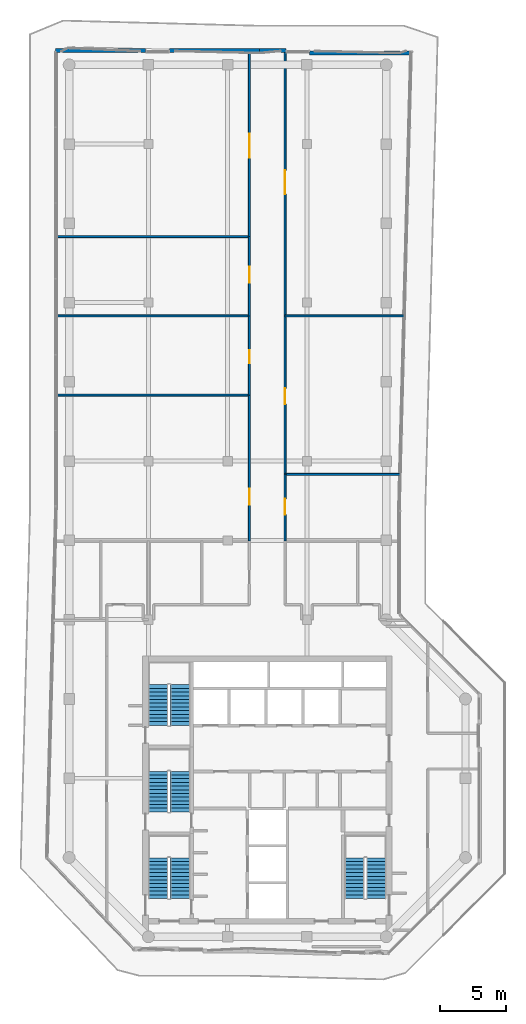
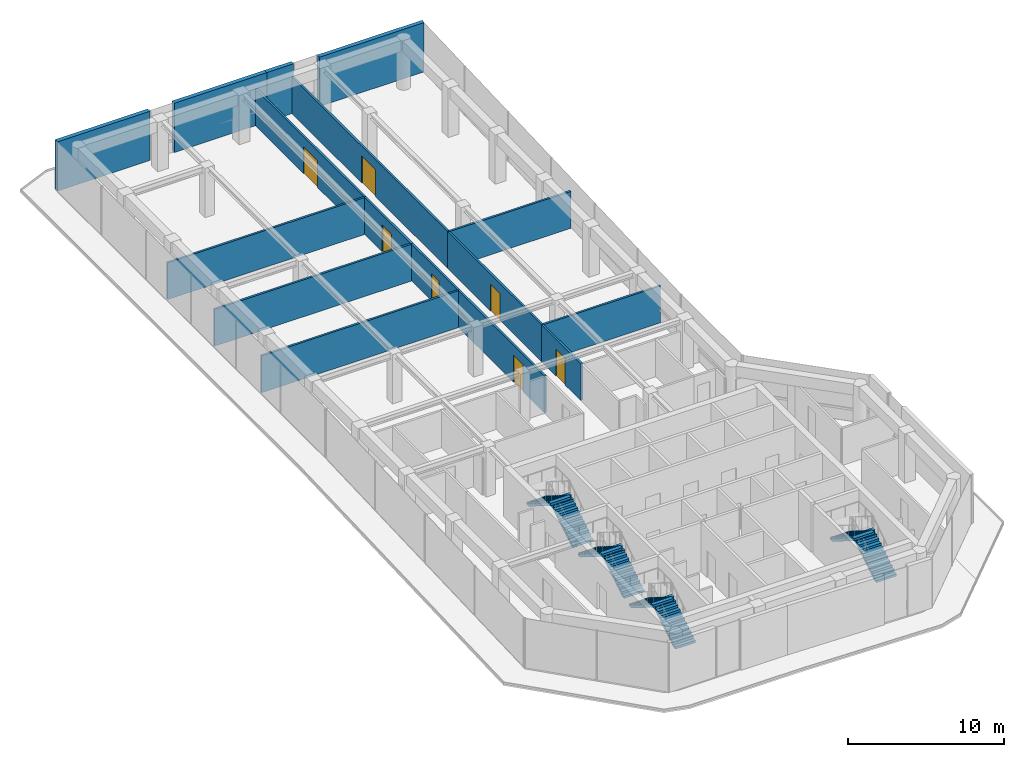
# One storey, part 17 of 19: 16 walls, 8 stair flights, 7 doors, 7 openings, 4 elements without a shape of their own.
"""IFC4 building model written with IfcOpenShell, lengths in metres."""

from ifc_helpers import new_model, si_unit, direction, frame, frame_2d, origin, place, context, subcontext, project, spatial, polyline, rectangle, outline, extrude, material, layer, layer_set, type_object, element, fill, aggregate, save


model = new_model("IFC4")

# Units and contexts
model_context = context("Model", 3, precision=1e-05, world=origin(), true_north=direction((0.0, 1.0)))
body_context = subcontext(model_context, "Body", "Model", "MODEL_VIEW")
ifc_project = project(units=[si_unit("LENGTHUNIT", "METRE"), si_unit("AREAUNIT", "SQUARE_METRE"), si_unit("VOLUMEUNIT", "CUBIC_METRE"), si_unit("PLANEANGLEUNIT", "RADIAN"), si_unit("MASSUNIT", "GRAM", prefix="KILO")], contexts=[model_context])

# Site, building, storey
site_placement = place(None, origin())
site = spatial("IfcSite", under=ifc_project, at=site_placement, CompositionType="ELEMENT")
building_placement = place(site_placement, origin())
building = spatial("IfcBuilding", under=site, at=building_placement, Name="Welwitschia Terrace Campus", CompositionType="ELEMENT")
storey_placement = place(building_placement, frame((0.0, 0.0, 234.800048828125)))
storey = spatial("IfcBuildingStorey", under=building, at=storey_placement, Name="L52", CompositionType="ELEMENT", Elevation=234.800048828125)

# Walls
ifc_material_1 = material(Name="Gypsum board on steel studs", Category="steel")
ifc_layer_1 = layer(ifc_material_1, 0.14990234375)
ifc_layer_set_1 = layer_set([ifc_layer_1], Name="Gypsum board on steel studs")
wall_type_1 = type_object("IfcWallType", Name="Corridor partition 150 EI 30", PredefinedType="PARTITIONING", material=ifc_layer_set_1)
for number, where, z_axis, x_axis, name in (
    (1, (-0.97998046875, 45.0, 0.0), (0.0, 0.0, 1.0), (1.0, 0.0, 0.0), "Partition"),
    (2, (-0.97998046875, 51.0, 0.0), (0.0, 0.0, 1.0), (1.0, 0.0, 0.0), "Partition"),
    (3, (-0.97998046875, 57.0, 0.0), (0.0, 0.0, 1.0), (1.0, 0.0, 0.0), "Partition"),
):
    element("IfcWall", number, at=place(storey_placement, frame(where, z_axis=z_axis, x_axis=x_axis)), inside=storey, type_object=wall_type_1, Name=name, PredefinedType="PARTITIONING", context=body_context, shape_type="SweptSolid", body=[
        extrude(rectangle(XDim=14.6298828125, YDim=0.14990234375, at=frame_2d((7.31494140625, 0.0))), origin(), (0.0, 0.0, 1.0), 2.8798828125),
    ])

# Wall, opening, door
wall_1_placement = place(storey_placement, frame((13.64990234375, 33.949951171875, 0.0), z_axis=(0.0, 0.0, 1.0), x_axis=(0.0, 1.0, 0.0)))
wall_1 = element("IfcWall", 4, at=wall_1_placement, inside=storey, type_object=wall_type_1, Name="Partition", PredefinedType="PARTITIONING", context=body_context, shape_type="SweptSolid", body=[
    extrude(rectangle(XDim=11.050048828125, YDim=0.14990234375, at=frame_2d((5.52490234375, 0.0))), origin(), (0.0, 0.0, 1.0), 2.8798828125),
])
opening_1_placement = place(wall_1_placement, frame((2.75, 0.0, 0.0)))
opening_1 = element("IfcOpeningElement", 5, at=opening_1_placement, cuts=wall_1, Name="Opening DI12", PredefinedType="OPENING", context=body_context, shape_type="SweptSolid", body=[
    extrude(rectangle(XDim=1.199951171875, YDim=2.10009765625, at=frame_2d((0.60009765625, 1.050048828125))), frame((0.0, 0.0849609375, 0.0), z_axis=(0.0, -1.0, 0.0), x_axis=(1.0, 0.0, 0.0)), (0.0, 0.0, 1.0), 0.169921875),
])
ifc_material_2 = material(Name="Timber veneered door", Category="wood")
door_type_1 = type_object("IfcDoorType", Name="Interior door DI12", OperationType="NOTDEFINED", PredefinedType="DOOR", material=ifc_material_2)
door_1_placement = place(opening_1_placement, origin())
door_1 = element("IfcDoor", 6, at=door_1_placement, inside=storey, type_object=door_type_1, Name="Door L52 964", OperationType="SINGLE_SWING_LEFT", OverallHeight=2.10009765625, OverallWidth=1.199951171875, PredefinedType="DOOR", context=body_context, shape_type="SweptSolid", body=[
    extrude(rectangle(XDim=1.199951171875, YDim=2.10009765625, at=frame_2d((0.60009765625, 1.050048828125))), frame((0.0, 0.02490234375, 0.0), z_axis=(0.0, -1.0, 0.0), x_axis=(1.0, 0.0, 0.0)), (0.0, 0.0, 1.0), 0.050048828125),
])
fill(opening_1, door_1)

wall_2_placement = place(storey_placement, frame((13.64990234375, 45.0, 0.0), z_axis=(0.0, 0.0, 1.0), x_axis=(0.0, 1.0, 0.0)))
wall_2 = element("IfcWall", 7, at=wall_2_placement, inside=storey, type_object=wall_type_1, Name="Partition", PredefinedType="PARTITIONING", context=body_context, shape_type="SweptSolid", body=[
    extrude(rectangle(XDim=6.0, YDim=0.14990234375, at=frame_2d((3.0, 0.0))), origin(), (0.0, 0.0, 1.0), 2.8798828125),
])
opening_2_placement = place(wall_2_placement, frame((2.39990234375, 0.0, 0.0)))
opening_2 = element("IfcOpeningElement", 8, at=opening_2_placement, cuts=wall_2, Name="Opening DI10", PredefinedType="OPENING", context=body_context, shape_type="SweptSolid", body=[
    extrude(rectangle(XDim=1.0, YDim=2.10009765625, at=frame_2d((0.5, 1.050048828125))), frame((0.0, 0.0849609375, 0.0), z_axis=(0.0, -1.0, 0.0), x_axis=(1.0, 0.0, 0.0)), (0.0, 0.0, 1.0), 0.169921875),
])
ifc_material_3 = material(Name="Timber veneered door", Category="wood")
door_type_2 = type_object("IfcDoorType", Name="Interior door DI10", OperationType="NOTDEFINED", PredefinedType="DOOR", material=ifc_material_3)
door_2_placement = place(opening_2_placement, origin())
door_2 = element("IfcDoor", 9, at=door_2_placement, inside=storey, type_object=door_type_2, Name="Door L52 965", OperationType="SINGLE_SWING_RIGHT", OverallHeight=2.10009765625, OverallWidth=1.0, PredefinedType="DOOR", context=body_context, shape_type="SweptSolid", body=[
    extrude(rectangle(XDim=1.0, YDim=2.10009765625, at=frame_2d((0.5, 1.050048828125))), frame((0.0, 0.02490234375, 0.0), z_axis=(0.0, -1.0, 0.0), x_axis=(1.0, 0.0, 0.0)), (0.0, 0.0, 1.0), 0.050048828125),
])
fill(opening_2, door_2)

wall_3_placement = place(storey_placement, frame((13.64990234375, 51.0, 0.0), z_axis=(0.0, 0.0, 1.0), x_axis=(0.0, 1.0, 0.0)))
wall_3 = element("IfcWall", 10, at=wall_3_placement, inside=storey, type_object=wall_type_1, Name="Partition", PredefinedType="PARTITIONING", context=body_context, shape_type="SweptSolid", body=[
    extrude(rectangle(XDim=6.0, YDim=0.14990234375, at=frame_2d((3.0, 0.0))), origin(), (0.0, 0.0, 1.0), 2.8798828125),
])
opening_3_placement = place(wall_3_placement, frame((2.5, 0.0, 0.0)))
opening_3 = element("IfcOpeningElement", 11, at=opening_3_placement, cuts=wall_3, Name="Opening DI12", PredefinedType="OPENING", context=body_context, shape_type="SweptSolid", body=[
    extrude(rectangle(XDim=1.199951171875, YDim=2.10009765625, at=frame_2d((0.60009765625, 1.050048828125))), frame((0.0, 0.0849609375, 0.0), z_axis=(0.0, -1.0, 0.0), x_axis=(1.0, 0.0, 0.0)), (0.0, 0.0, 1.0), 0.169921875),
])
door_3_placement = place(opening_3_placement, origin())
door_3 = element("IfcDoor", 12, at=door_3_placement, inside=storey, type_object=door_type_1, Name="Door L52 966", OperationType="SINGLE_SWING_LEFT", OverallHeight=2.10009765625, OverallWidth=1.199951171875, PredefinedType="DOOR", context=body_context, shape_type="SweptSolid", body=[
    extrude(rectangle(XDim=1.199951171875, YDim=2.10009765625, at=frame_2d((0.60009765625, 1.050048828125))), frame((0.0, 0.02490234375, 0.0), z_axis=(0.0, -1.0, 0.0), x_axis=(1.0, 0.0, 0.0)), (0.0, 0.0, 1.0), 0.050048828125),
])
fill(opening_3, door_3)

wall_4_placement = place(storey_placement, frame((13.64990234375, 71.089599609375, 0.0), z_axis=(0.0, 0.0, 1.0), x_axis=(0.0, -1.0, 0.0)))
wall_4 = element("IfcWall", 13, at=wall_4_placement, inside=storey, type_object=wall_type_1, Name="Partition", PredefinedType="PARTITIONING", context=body_context, shape_type="SweptSolid", body=[
    extrude(rectangle(XDim=14.089599609375, YDim=0.14990234375, at=frame_2d((7.044921875, 0.0))), origin(), (0.0, 0.0, 1.0), 2.8798828125),
])
opening_4_placement = place(wall_4_placement, frame((6.3095703125, 0.0, 0.0)))
opening_4 = element("IfcOpeningElement", 14, at=opening_4_placement, cuts=wall_4, Name="Opening DI18", PredefinedType="OPENING", context=body_context, shape_type="SweptSolid", body=[
    extrude(rectangle(XDim=1.800048828125, YDim=2.10009765625, at=frame_2d((0.89990234375, 1.050048828125))), frame((0.0, 0.0849609375, 0.0), z_axis=(0.0, -1.0, 0.0), x_axis=(1.0, 0.0, 0.0)), (0.0, 0.0, 1.0), 0.169921875),
])
ifc_material_4 = material(Name="Timber veneered door", Category="wood")
door_type_3 = type_object("IfcDoorType", Name="Interior door DI18", OperationType="DOUBLE_DOOR_SINGLE_SWING", PredefinedType="DOOR", material=ifc_material_4)
door_4_placement = place(opening_4_placement, origin())
door_4 = element("IfcDoor", 15, at=door_4_placement, inside=storey, type_object=door_type_3, Name="Door L52 967", OperationType="SINGLE_SWING_LEFT", OverallHeight=2.10009765625, OverallWidth=1.800048828125, PredefinedType="DOOR", context=body_context, shape_type="SweptSolid", body=[
    extrude(rectangle(XDim=1.800048828125, YDim=2.10009765625, at=frame_2d((0.89990234375, 1.050048828125))), frame((0.0, 0.02490234375, 0.0), z_axis=(0.0, -1.0, 0.0), x_axis=(1.0, 0.0, 0.0)), (0.0, 0.0, 1.0), 0.050048828125),
])
fill(opening_4, door_4)

wall_5_placement = place(storey_placement, frame((16.35009765625, 39.0, 0.0), z_axis=(0.0, 0.0, 1.0), x_axis=(0.0, -1.0, 0.0)))
wall_5 = element("IfcWall", 16, at=wall_5_placement, inside=storey, type_object=wall_type_1, Name="Partition", PredefinedType="PARTITIONING", context=body_context, shape_type="SweptSolid", body=[
    extrude(rectangle(XDim=5.050048828125, YDim=0.14990234375, at=frame_2d((2.52490234375, 0.0))), origin(), (0.0, 0.0, 1.0), 2.8798828125),
])
opening_5_placement = place(wall_5_placement, frame((1.85009765625, 0.0, 0.0)))
opening_5 = element("IfcOpeningElement", 17, at=opening_5_placement, cuts=wall_5, Name="Opening DI12", PredefinedType="OPENING", context=body_context, shape_type="SweptSolid", body=[
    extrude(rectangle(XDim=1.199951171875, YDim=2.10009765625, at=frame_2d((0.60009765625, 1.050048828125))), frame((0.0, 0.0849609375, 0.0), z_axis=(0.0, -1.0, 0.0), x_axis=(1.0, 0.0, 0.0)), (0.0, 0.0, 1.0), 0.169921875),
])
door_5_placement = place(opening_5_placement, origin())
door_5 = element("IfcDoor", 18, at=door_5_placement, inside=storey, type_object=door_type_1, Name="Door L52 968", OperationType="SINGLE_SWING_LEFT", OverallHeight=2.10009765625, OverallWidth=1.199951171875, PredefinedType="DOOR", context=body_context, shape_type="SweptSolid", body=[
    extrude(rectangle(XDim=1.199951171875, YDim=2.10009765625, at=frame_2d((0.60009765625, 1.050048828125))), frame((0.0, 0.02490234375, 0.0), z_axis=(0.0, -1.0, 0.0), x_axis=(1.0, 0.0, 0.0)), (0.0, 0.0, 1.0), 0.050048828125),
])
fill(opening_5, door_5)

wall_6_placement = place(storey_placement, frame((16.35009765625, 39.0, 0.0), z_axis=(0.0, 0.0, 1.0), x_axis=(0.0, 1.0, 0.0)))
wall_6 = element("IfcWall", 19, at=wall_6_placement, inside=storey, type_object=wall_type_1, Name="Partition", PredefinedType="PARTITIONING", context=body_context, shape_type="SweptSolid", body=[
    extrude(rectangle(XDim=12.0, YDim=0.14990234375, at=frame_2d((6.0, 0.0))), origin(), (0.0, 0.0, 1.0), 2.8798828125),
])
opening_6_placement = place(wall_6_placement, frame((5.300048828125, 0.0, 0.0)))
opening_6 = element("IfcOpeningElement", 20, at=opening_6_placement, cuts=wall_6, Name="Opening DI12", PredefinedType="OPENING", context=body_context, shape_type="SweptSolid", body=[
    extrude(rectangle(XDim=1.199951171875, YDim=2.10009765625, at=frame_2d((0.60009765625, 1.050048828125))), frame((0.0, 0.0849609375, 0.0), z_axis=(0.0, -1.0, 0.0), x_axis=(1.0, 0.0, 0.0)), (0.0, 0.0, 1.0), 0.169921875),
])
door_6_placement = place(opening_6_placement, origin())
door_6 = element("IfcDoor", 21, at=door_6_placement, inside=storey, type_object=door_type_1, Name="Door L52 969", OperationType="SINGLE_SWING_RIGHT", OverallHeight=2.10009765625, OverallWidth=1.199951171875, PredefinedType="DOOR", context=body_context, shape_type="SweptSolid", body=[
    extrude(rectangle(XDim=1.199951171875, YDim=2.10009765625, at=frame_2d((0.60009765625, 1.050048828125))), frame((0.0, 0.02490234375, 0.0), z_axis=(0.0, -1.0, 0.0), x_axis=(1.0, 0.0, 0.0)), (0.0, 0.0, 1.0), 0.050048828125),
])
fill(opening_6, door_6)

# Wall
wall_7_placement = place(storey_placement, frame((16.35009765625, 39.0, 0.0), z_axis=(0.0, 0.0, 1.0), x_axis=(1.0, 0.0, 0.0)))
element("IfcWall", 22, at=wall_7_placement, inside=storey, type_object=wall_type_1, Name="Partition", PredefinedType="PARTITIONING", context=body_context, shape_type="SweptSolid", body=[
    extrude(rectangle(XDim=8.699951171875, YDim=0.14990234375, at=frame_2d((4.35009765625, 0.0))), origin(), (0.0, 0.0, 1.0), 2.8798828125),
])

# Wall, opening, door
wall_8_placement = place(storey_placement, frame((16.35009765625, 51.0, 0.0), z_axis=(0.0, 0.0, 1.0), x_axis=(0.0, 1.0, 0.0)))
wall_8 = element("IfcWall", 23, at=wall_8_placement, inside=storey, type_object=wall_type_1, Name="Partition", PredefinedType="PARTITIONING", context=body_context, shape_type="SweptSolid", body=[
    extrude(rectangle(XDim=19.965087890625, YDim=0.14990234375, at=frame_2d((9.982421875, 0.0))), origin(), (0.0, 0.0, 1.0), 2.8798828125),
])
opening_7_placement = place(wall_8_placement, frame((9.199951171875, 0.0, 0.0)))
opening_7 = element("IfcOpeningElement", 24, at=opening_7_placement, cuts=wall_8, Name="Opening DI18", PredefinedType="OPENING", context=body_context, shape_type="SweptSolid", body=[
    extrude(rectangle(XDim=1.800048828125, YDim=2.10009765625, at=frame_2d((0.89990234375, 1.050048828125))), frame((0.0, 0.0849609375, 0.0), z_axis=(0.0, -1.0, 0.0), x_axis=(1.0, 0.0, 0.0)), (0.0, 0.0, 1.0), 0.169921875),
])
door_7_placement = place(opening_7_placement, origin())
door_7 = element("IfcDoor", 25, at=door_7_placement, inside=storey, type_object=door_type_3, Name="Door L52 970", OperationType="SINGLE_SWING_LEFT", OverallHeight=2.10009765625, OverallWidth=1.800048828125, PredefinedType="DOOR", context=body_context, shape_type="SweptSolid", body=[
    extrude(rectangle(XDim=1.800048828125, YDim=2.10009765625, at=frame_2d((0.89990234375, 1.050048828125))), frame((0.0, 0.02490234375, 0.0), z_axis=(0.0, -1.0, 0.0), x_axis=(1.0, 0.0, 0.0)), (0.0, 0.0, 1.0), 0.050048828125),
])
fill(opening_7, door_7)

# Walls
wall_9_placement = place(storey_placement, frame((16.35009765625, 51.0, 0.0), z_axis=(0.0, 0.0, 1.0), x_axis=(1.0, 0.0, 0.0)))
element("IfcWall", 26, at=wall_9_placement, inside=storey, type_object=wall_type_1, Name="Partition", PredefinedType="PARTITIONING", context=body_context, shape_type="SweptSolid", body=[
    extrude(rectangle(XDim=9.02001953125, YDim=0.14990234375, at=frame_2d((4.510009765625, 0.0))), origin(), (0.0, 0.0, 1.0), 2.8798828125),
])
ifc_material_5 = material(Name="Concrete C40/50", Category="concrete")
ifc_layer_2 = layer(ifc_material_5, 0.300048828125)
ifc_layer_set_2 = layer_set([ifc_layer_2], Name="Concrete C40/50")
wall_type_2 = type_object("IfcWallType", Name="Mass wall 300", PredefinedType="SOLIDWALL", material=ifc_layer_set_2)
wall_10_placement = place(storey_placement, frame((25.94091796875, 70.8798828125, 0.0), z_axis=(0.0, 0.0, 1.0), x_axis=(-1.0, 0.0, 0.0)))
element("IfcWall", 27, at=wall_10_placement, inside=storey, type_object=wall_type_2, Name="Mass wall L52.10.0", PredefinedType="SOLIDWALL", context=body_context, shape_type="SweptSolid", body=[
    extrude(rectangle(XDim=7.73583984375, YDim=0.300048828125, at=frame_2d((3.867919921875, 0.0))), origin(), (0.0, 0.0, 1.0), 3.849853515625),
])
wall_11_placement = place(storey_placement, frame((16.405029296875, 71.080078125, 0.0), z_axis=(0.0, 0.0, 1.0), x_axis=(-1.0, 0.0, 0.0)))
element("IfcWall", 28, at=wall_11_placement, inside=storey, type_object=wall_type_2, Name="Mass wall L52.10.1", PredefinedType="SOLIDWALL", context=body_context, shape_type="SweptSolid", body=[
    extrude(rectangle(XDim=1.978515625, YDim=0.300048828125, at=frame_2d((0.9892578125, 0.0))), origin(), (0.0, 0.0, 1.0), 3.849853515625),
])
wall_12_placement = place(storey_placement, frame((14.426513671875, 71.080078125, 0.0), z_axis=(0.0, 0.0, 1.0), x_axis=(-0.999999792909, -0.000643569533, 0.0)))
element("IfcWall", 29, at=wall_12_placement, inside=storey, type_object=wall_type_2, Name="Mass wall L52.11.0", PredefinedType="SOLIDWALL", context=body_context, shape_type="SweptSolid", body=[
    extrude(rectangle(XDim=6.828369140625, YDim=0.300048828125, at=frame_2d((3.4140625, 0.0))), origin(), (0.0, 0.0, 1.0), 3.849853515625),
])
wall_13_placement = place(storey_placement, frame((5.798095703125, 71.090576171875, 0.0), z_axis=(0.0, 0.0, 1.0), x_axis=(-0.999999792894, -0.000643592544, 0.0)))
element("IfcWall", 30, at=wall_13_placement, inside=storey, type_object=wall_type_2, Name="Mass wall L52.11.1", PredefinedType="SOLIDWALL", context=body_context, shape_type="SweptSolid", body=[
    extrude(rectangle(XDim=6.828125, YDim=0.300048828125, at=frame_2d((3.4140625, 0.0))), origin(), (0.0, 0.0, 1.0), 3.849853515625),
])

# Stair, stair flights
ifc_material_6 = material(Name="Concrete C40/50", Category="concrete")
stair_type = type_object("IfcStairType", Name="Stair 24R 175 W1500", PredefinedType="HALF_TURN_STAIR", material=ifc_material_6)
stair_1_placement = place(storey_placement, origin())
stair_1 = element("IfcStair", 31, at=stair_1_placement, inside=storey, type_object=stair_type, Name="L52 Exit stair S1", PredefinedType="HALF_TURN_STAIR")
ifc_material_7 = material(Name="Concrete C40/50", Category="concrete")
stair_flight_type = type_object("IfcStairFlightType", Name="Stair flight 24R 175 W1500", PredefinedType="STRAIGHT", material=ifc_material_7)
stair_flight_1_placement = place(storey_placement, frame((8.39990234375, 6.89990234375, 0.0), z_axis=(0.0, 0.0, 1.0), x_axis=(0.0, 1.0, 0.0)))
stair_flight_1 = element("IfcStairFlight", 32, at=stair_flight_1_placement, type_object=stair_flight_type, Name="S1 flight 1", NumberOfRisers=12, NumberOfTreads=11, PredefinedType="STRAIGHT", RiserHeight=0.175, TreadLength=0.28, context=body_context, shape_type="SweptSolid", body=[
    extrude(outline(polyline([(0.0, 0.0), (0.0, 0.175048828125), (0.280029296875, 0.175048828125), (0.280029296875, 0.35009765625), (0.56005859375, 0.35009765625), (0.56005859375, 0.52490234375), (0.840087890625, 0.52490234375), (0.840087890625, 0.699951171875), (1.1201171875, 0.699951171875), (1.1201171875, 0.875), (1.39990234375, 0.875), (1.39990234375, 1.050048828125), (1.679931640625, 1.050048828125), (1.679931640625, 1.22509765625), (1.9599609375, 1.22509765625), (1.9599609375, 1.39990234375), (2.239990234375, 1.39990234375), (2.239990234375, 1.574951171875), (2.52001953125, 1.574951171875), (2.52001953125, 1.75), (2.800048828125, 1.75), (2.800048828125, 1.925048828125), (3.080078125, 1.925048828125), (3.080078125, 2.10009765625), (3.080078125, 1.748291015625), (0.28271484375, 0.0), (0.0, 0.0)])), frame((0.0, 0.75, 0.0), z_axis=(0.0, -1.0, 0.0), x_axis=(1.0, 0.0, 0.0)), (0.0, 0.0, 1.0), 1.5),
])
stair_flight_2_placement = place(storey_placement, frame((6.75, 9.97998046875, 2.099853515625), z_axis=(0.0, 0.0, 1.0), x_axis=(0.0, -1.0, 0.0)))
stair_flight_2 = element("IfcStairFlight", 33, at=stair_flight_2_placement, type_object=stair_flight_type, Name="S1 flight 2", NumberOfRisers=12, NumberOfTreads=11, PredefinedType="STRAIGHT", RiserHeight=0.175, TreadLength=0.28, context=body_context, shape_type="SweptSolid", body=[
    extrude(outline(polyline([(0.0, 0.0), (0.0, 0.175048828125), (0.280029296875, 0.175048828125), (0.280029296875, 0.35009765625), (0.56005859375, 0.35009765625), (0.56005859375, 0.52490234375), (0.840087890625, 0.52490234375), (0.840087890625, 0.699951171875), (1.1201171875, 0.699951171875), (1.1201171875, 0.875), (1.39990234375, 0.875), (1.39990234375, 1.050048828125), (1.679931640625, 1.050048828125), (1.679931640625, 1.22509765625), (1.9599609375, 1.22509765625), (1.9599609375, 1.39990234375), (2.239990234375, 1.39990234375), (2.239990234375, 1.574951171875), (2.52001953125, 1.574951171875), (2.52001953125, 1.75), (2.800048828125, 1.75), (2.800048828125, 1.925048828125), (3.080078125, 1.925048828125), (3.080078125, 2.10009765625), (3.080078125, 1.748291015625), (0.28271484375, 0.0), (0.0, 0.0)])), frame((0.0, 0.75, 0.0), z_axis=(0.0, -1.0, 0.0), x_axis=(1.0, 0.0, 0.0)), (0.0, 0.0, 1.0), 1.5),
])
aggregate(stair_1, [stair_flight_1, stair_flight_2])

stair_2_placement = place(storey_placement, origin())
stair_2 = element("IfcStair", 34, at=stair_2_placement, inside=storey, type_object=stair_type, Name="L52 Exit stair S3", PredefinedType="HALF_TURN_STAIR")
stair_flight_3_placement = place(storey_placement, frame((8.39990234375, 13.449951171875, 0.0), z_axis=(0.0, 0.0, 1.0), x_axis=(0.0, 1.0, 0.0)))
stair_flight_3 = element("IfcStairFlight", 35, at=stair_flight_3_placement, type_object=stair_flight_type, Name="S3 flight 1", NumberOfRisers=12, NumberOfTreads=11, PredefinedType="STRAIGHT", RiserHeight=0.175, TreadLength=0.28, context=body_context, shape_type="SweptSolid", body=[
    extrude(outline(polyline([(0.0, 0.0), (0.0, 0.175048828125), (0.280029296875, 0.175048828125), (0.280029296875, 0.35009765625), (0.56005859375, 0.35009765625), (0.56005859375, 0.52490234375), (0.840087890625, 0.52490234375), (0.840087890625, 0.699951171875), (1.1201171875, 0.699951171875), (1.1201171875, 0.875), (1.39990234375, 0.875), (1.39990234375, 1.050048828125), (1.679931640625, 1.050048828125), (1.679931640625, 1.22509765625), (1.9599609375, 1.22509765625), (1.9599609375, 1.39990234375), (2.239990234375, 1.39990234375), (2.239990234375, 1.574951171875), (2.52001953125, 1.574951171875), (2.52001953125, 1.75), (2.800048828125, 1.75), (2.800048828125, 1.925048828125), (3.080078125, 1.925048828125), (3.080078125, 2.10009765625), (3.080078125, 1.748291015625), (0.28271484375, 0.0), (0.0, 0.0)])), frame((0.0, 0.75, 0.0), z_axis=(0.0, -1.0, 0.0), x_axis=(1.0, 0.0, 0.0)), (0.0, 0.0, 1.0), 1.5),
])
stair_flight_4_placement = place(storey_placement, frame((6.75, 16.530029296875, 2.099853515625), z_axis=(0.0, 0.0, 1.0), x_axis=(0.0, -1.0, 0.0)))
stair_flight_4 = element("IfcStairFlight", 36, at=stair_flight_4_placement, type_object=stair_flight_type, Name="S3 flight 2", NumberOfRisers=12, NumberOfTreads=11, PredefinedType="STRAIGHT", RiserHeight=0.175, TreadLength=0.28, context=body_context, shape_type="SweptSolid", body=[
    extrude(outline(polyline([(0.0, 0.0), (0.0, 0.175048828125), (0.280029296875, 0.175048828125), (0.280029296875, 0.35009765625), (0.56005859375, 0.35009765625), (0.56005859375, 0.52490234375), (0.840087890625, 0.52490234375), (0.840087890625, 0.699951171875), (1.1201171875, 0.699951171875), (1.1201171875, 0.875), (1.39990234375, 0.875), (1.39990234375, 1.050048828125), (1.679931640625, 1.050048828125), (1.679931640625, 1.22509765625), (1.9599609375, 1.22509765625), (1.9599609375, 1.39990234375), (2.239990234375, 1.39990234375), (2.239990234375, 1.574951171875), (2.52001953125, 1.574951171875), (2.52001953125, 1.75), (2.800048828125, 1.75), (2.800048828125, 1.925048828125), (3.080078125, 1.925048828125), (3.080078125, 2.10009765625), (3.080078125, 1.748291015625), (0.28271484375, 0.0), (0.0, 0.0)])), frame((0.0, 0.75, 0.0), z_axis=(0.0, -1.0, 0.0), x_axis=(1.0, 0.0, 0.0)), (0.0, 0.0, 1.0), 1.5),
])
aggregate(stair_2, [stair_flight_3, stair_flight_4])

stair_3_placement = place(storey_placement, origin())
stair_3 = element("IfcStair", 37, at=stair_3_placement, inside=storey, type_object=stair_type, Name="L52 Exit stair S4", PredefinedType="HALF_TURN_STAIR")
stair_flight_5_placement = place(storey_placement, frame((8.39990234375, 20.0, 0.0), z_axis=(0.0, 0.0, 1.0), x_axis=(0.0, 1.0, 0.0)))
stair_flight_5 = element("IfcStairFlight", 38, at=stair_flight_5_placement, type_object=stair_flight_type, Name="S4 flight 1", NumberOfRisers=12, NumberOfTreads=11, PredefinedType="STRAIGHT", RiserHeight=0.175, TreadLength=0.28, context=body_context, shape_type="SweptSolid", body=[
    extrude(outline(polyline([(0.0, 0.0), (0.0, 0.175048828125), (0.280029296875, 0.175048828125), (0.280029296875, 0.35009765625), (0.56005859375, 0.35009765625), (0.56005859375, 0.52490234375), (0.840087890625, 0.52490234375), (0.840087890625, 0.699951171875), (1.1201171875, 0.699951171875), (1.1201171875, 0.875), (1.39990234375, 0.875), (1.39990234375, 1.050048828125), (1.679931640625, 1.050048828125), (1.679931640625, 1.22509765625), (1.9599609375, 1.22509765625), (1.9599609375, 1.39990234375), (2.239990234375, 1.39990234375), (2.239990234375, 1.574951171875), (2.52001953125, 1.574951171875), (2.52001953125, 1.75), (2.800048828125, 1.75), (2.800048828125, 1.925048828125), (3.080078125, 1.925048828125), (3.080078125, 2.10009765625), (3.080078125, 1.748291015625), (0.28271484375, 0.0), (0.0, 0.0)])), frame((0.0, 0.75, 0.0), z_axis=(0.0, -1.0, 0.0), x_axis=(1.0, 0.0, 0.0)), (0.0, 0.0, 1.0), 1.5),
])
stair_flight_6_placement = place(storey_placement, frame((6.75, 23.080078125, 2.099853515625), z_axis=(0.0, 0.0, 1.0), x_axis=(0.0, -1.0, 0.0)))
stair_flight_6 = element("IfcStairFlight", 39, at=stair_flight_6_placement, type_object=stair_flight_type, Name="S4 flight 2", NumberOfRisers=12, NumberOfTreads=11, PredefinedType="STRAIGHT", RiserHeight=0.175, TreadLength=0.28, context=body_context, shape_type="SweptSolid", body=[
    extrude(outline(polyline([(0.0, 0.0), (0.0, 0.175048828125), (0.280029296875, 0.175048828125), (0.280029296875, 0.35009765625), (0.56005859375, 0.35009765625), (0.56005859375, 0.52490234375), (0.840087890625, 0.52490234375), (0.840087890625, 0.699951171875), (1.1201171875, 0.699951171875), (1.1201171875, 0.875), (1.39990234375, 0.875), (1.39990234375, 1.050048828125), (1.679931640625, 1.050048828125), (1.679931640625, 1.22509765625), (1.9599609375, 1.22509765625), (1.9599609375, 1.39990234375), (2.239990234375, 1.39990234375), (2.239990234375, 1.574951171875), (2.52001953125, 1.574951171875), (2.52001953125, 1.75), (2.800048828125, 1.75), (2.800048828125, 1.925048828125), (3.080078125, 1.925048828125), (3.080078125, 2.10009765625), (3.080078125, 1.748291015625), (0.28271484375, 0.0), (0.0, 0.0)])), frame((0.0, 0.75, 0.0), z_axis=(0.0, -1.0, 0.0), x_axis=(1.0, 0.0, 0.0)), (0.0, 0.0, 1.0), 1.5),
])
aggregate(stair_3, [stair_flight_5, stair_flight_6])

stair_4_placement = place(storey_placement, origin())
stair_4 = element("IfcStair", 40, at=stair_4_placement, inside=storey, type_object=stair_type, Name="L52 Exit stair S2", PredefinedType="HALF_TURN_STAIR")
stair_flight_7_placement = place(storey_placement, frame((23.25, 6.89990234375, 0.0), z_axis=(0.0, 0.0, 1.0), x_axis=(0.0, 1.0, 0.0)))
stair_flight_7 = element("IfcStairFlight", 41, at=stair_flight_7_placement, type_object=stair_flight_type, Name="S2 flight 1", NumberOfRisers=12, NumberOfTreads=11, PredefinedType="STRAIGHT", RiserHeight=0.175, TreadLength=0.28, context=body_context, shape_type="SweptSolid", body=[
    extrude(outline(polyline([(0.0, 0.0), (0.0, 0.175048828125), (0.280029296875, 0.175048828125), (0.280029296875, 0.35009765625), (0.56005859375, 0.35009765625), (0.56005859375, 0.52490234375), (0.840087890625, 0.52490234375), (0.840087890625, 0.699951171875), (1.1201171875, 0.699951171875), (1.1201171875, 0.875), (1.39990234375, 0.875), (1.39990234375, 1.050048828125), (1.679931640625, 1.050048828125), (1.679931640625, 1.22509765625), (1.9599609375, 1.22509765625), (1.9599609375, 1.39990234375), (2.239990234375, 1.39990234375), (2.239990234375, 1.574951171875), (2.52001953125, 1.574951171875), (2.52001953125, 1.75), (2.800048828125, 1.75), (2.800048828125, 1.925048828125), (3.080078125, 1.925048828125), (3.080078125, 2.10009765625), (3.080078125, 1.748291015625), (0.28271484375, 0.0), (0.0, 0.0)])), frame((0.0, 0.75, 0.0), z_axis=(0.0, -1.0, 0.0), x_axis=(1.0, 0.0, 0.0)), (0.0, 0.0, 1.0), 1.5),
])
stair_flight_8_placement = place(storey_placement, frame((21.60009765625, 9.97998046875, 2.099853515625), z_axis=(0.0, 0.0, 1.0), x_axis=(0.0, -1.0, 0.0)))
stair_flight_8 = element("IfcStairFlight", 42, at=stair_flight_8_placement, type_object=stair_flight_type, Name="S2 flight 2", NumberOfRisers=12, NumberOfTreads=11, PredefinedType="STRAIGHT", RiserHeight=0.175, TreadLength=0.28, context=body_context, shape_type="SweptSolid", body=[
    extrude(outline(polyline([(0.0, 0.0), (0.0, 0.175048828125), (0.280029296875, 0.175048828125), (0.280029296875, 0.35009765625), (0.56005859375, 0.35009765625), (0.56005859375, 0.52490234375), (0.840087890625, 0.52490234375), (0.840087890625, 0.699951171875), (1.1201171875, 0.699951171875), (1.1201171875, 0.875), (1.39990234375, 0.875), (1.39990234375, 1.050048828125), (1.679931640625, 1.050048828125), (1.679931640625, 1.22509765625), (1.9599609375, 1.22509765625), (1.9599609375, 1.39990234375), (2.239990234375, 1.39990234375), (2.239990234375, 1.574951171875), (2.52001953125, 1.574951171875), (2.52001953125, 1.75), (2.800048828125, 1.75), (2.800048828125, 1.925048828125), (3.080078125, 1.925048828125), (3.080078125, 2.10009765625), (3.080078125, 1.748291015625), (0.28271484375, 0.0), (0.0, 0.0)])), frame((0.0, 0.75, 0.0), z_axis=(0.0, -1.0, 0.0), x_axis=(1.0, 0.0, 0.0)), (0.0, 0.0, 1.0), 1.5),
])
aggregate(stair_4, [stair_flight_7, stair_flight_8])

save(model, "model.ifc")
